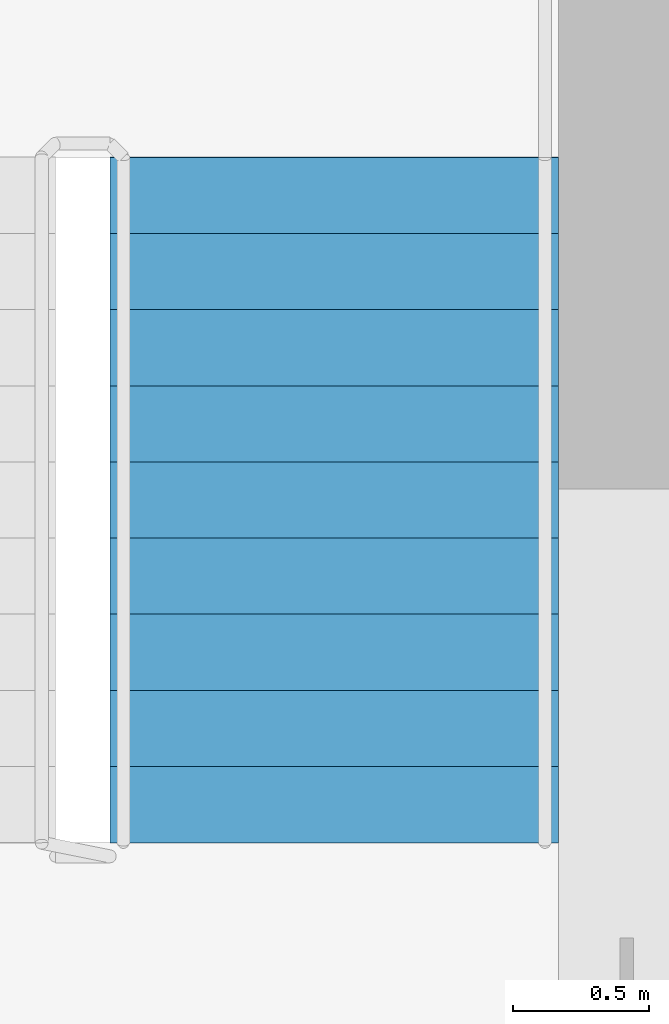
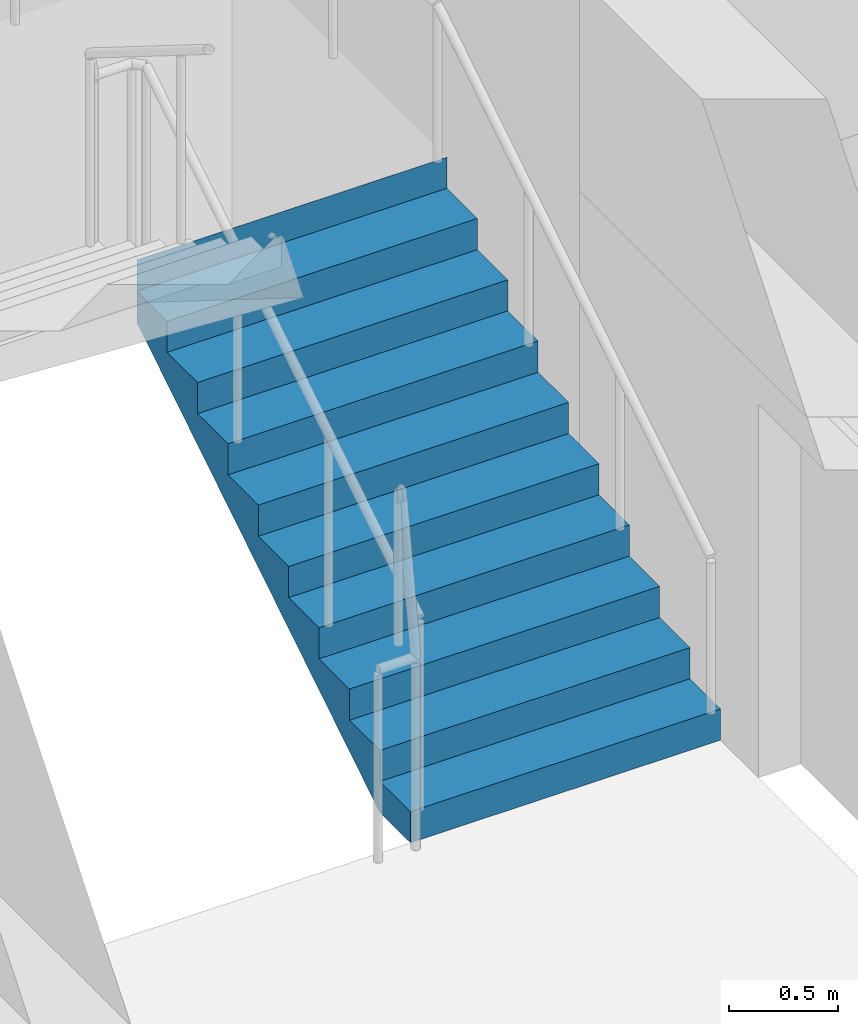
# One storey, part 10 of 11: 1 stair flight, 1 element without a shape of its own.
"""IFC4 building model written with IfcOpenShell, lengths in metres."""

import ifcopenshell
import ifcopenshell.guid

model = None  # the IFC model being written
_history = None  # IfcOwnerHistory: only IFC2X3 demands one
_inside = {}  # id of a spatial element -> (the spatial element, [elements in it])
_under = {}  # id of a project, library or spatial element -> (it, [spatial elements below it])
_declared = {}  # id of a project -> (the project, [libraries it declares])
_typed = {}  # id of a type object -> (the type object, [elements of that type])
_made_of = {}  # id of a material, layer set ... -> (it, [elements and type objects made of it])


def new_model(schema):
    """Start an empty IFC model of exactly this schema.

    Asked for "IFC4X3", IfcOpenShell would pick the latest addendum, in which some entities
    have other attributes; the version numbers below select the first issue.
    IFC2X3 requires an IfcOwnerHistory on every rooted entity: one is made here for all.
    """
    global model, _history
    if schema == "IFC4X3":
        model = ifcopenshell.file(schema_version=(4, 3, 0, 0))
    else:
        model = ifcopenshell.file(schema=schema)
    _inside.clear()
    _under.clear()
    _declared.clear()
    _typed.clear()
    _made_of.clear()
    _history = None
    if model.schema == "IFC2X3":
        org = make("IfcOrganization", Name="unknown")
        user = make(
            "IfcPersonAndOrganization",
            ThePerson=make("IfcPerson", FamilyName="unknown"),
            TheOrganization=org,
        )
        app = make(
            "IfcApplication",
            ApplicationDeveloper=org,
            Version="unknown",
            ApplicationFullName="unknown",
            ApplicationIdentifier="unknown",
        )
        _history = make(
            "IfcOwnerHistory",
            OwningUser=user,
            OwningApplication=app,
            ChangeAction="ADDED",
            CreationDate=0,
        )
    return model


def make(cls, **values):
    """One entity of the class cls with the attributes given. An attribute that is None is left unset."""
    return model.create_entity(
        cls, **{name: value for name, value in values.items() if value is not None}
    )


def rooted(cls, **values):
    """An entity with a GlobalId (a new one), such as an element, a storey or a relation."""
    return make(cls, GlobalId=ifcopenshell.guid.new(), OwnerHistory=_history, **values)


def si_unit(unit_type, name, prefix=None):
    """IfcSIUnit, for example si_unit("LENGTHUNIT", "METRE", prefix="MILLI")."""
    return make("IfcSIUnit", UnitType=unit_type, Prefix=prefix, Name=name)


def assignment(units):
    """IfcUnitAssignment: the units of a project."""
    return None if units is None else make("IfcUnitAssignment", Units=units)


def point(xyz):
    """IfcCartesianPoint."""
    return None if xyz is None else make("IfcCartesianPoint", Coordinates=xyz)


def direction(xyz):
    """IfcDirection."""
    return None if xyz is None else make("IfcDirection", DirectionRatios=xyz)


def frame(location, z_axis=None, x_axis=None):
    """IfcAxis2Placement3D, a coordinate frame: its origin and axes. An axis left out is left unset."""
    return make(
        "IfcAxis2Placement3D",
        Location=point(location),
        Axis=direction(z_axis),
        RefDirection=direction(x_axis),
    )


def origin():
    """The frame at (0, 0, 0) with its axes left unset."""
    return frame((0.0, 0.0, 0.0))


def place(relative_to, where):
    """IfcLocalPlacement: puts the frame where relative to a parent placement (None: the world)."""
    return make(
        "IfcLocalPlacement", PlacementRelTo=relative_to, RelativePlacement=where
    )


def context(
    kind, dimensions, precision=None, world=None, true_north=None, identifier=None
):
    """IfcGeometricRepresentationContext, for example the 3D "Model" context."""
    return make(
        "IfcGeometricRepresentationContext",
        ContextIdentifier=identifier,
        ContextType=kind,
        CoordinateSpaceDimension=dimensions,
        Precision=precision,
        WorldCoordinateSystem=world,
        TrueNorth=true_north,
    )


def subcontext(parent, identifier, kind, view, scale=None):
    """IfcGeometricRepresentationSubContext, for example "Body" below "Model"."""
    return make(
        "IfcGeometricRepresentationSubContext",
        ContextIdentifier=identifier,
        ContextType=kind,
        ParentContext=parent,
        TargetScale=scale,
        TargetView=view,
    )


def project(units=None, contexts=None):
    """IfcProject with its units and contexts."""
    return rooted(
        "IfcProject",
        Name="project",
        RepresentationContexts=contexts,
        UnitsInContext=assignment(units),
    )


def spatial(cls, under=None, at=None, **own):
    """A site, building, storey or space (cls), placed at a placement, below another one or the project."""
    s = rooted(cls, ObjectPlacement=at, **own)
    if under is not None:
        _under.setdefault(under.id(), (under, []))[1].append(s)
    return s


def polyline(points):
    """IfcPolyline through the points."""
    return make("IfcPolyline", Points=[point(p) for p in points])


def outline(outer, holes=None, kind="AREA"):
    """IfcArbitraryClosedProfileDef: a profile drawn as a closed curve; with holes, ...WithVoids."""
    if holes is None:
        return make("IfcArbitraryClosedProfileDef", ProfileType=kind, OuterCurve=outer)
    return make(
        "IfcArbitraryProfileDefWithVoids",
        ProfileType=kind,
        OuterCurve=outer,
        InnerCurves=holes,
    )


def extrude(swept, where, along, depth):
    """IfcExtrudedAreaSolid: the profile swept, set in the frame where, extruded along a direction by depth."""
    return make(
        "IfcExtrudedAreaSolid",
        SweptArea=swept,
        Position=where,
        ExtrudedDirection=direction(along),
        Depth=depth,
    )


def shape(context_of_items, identifier, shape_type, items):
    """IfcShapeRepresentation: the items that make up one representation, for example the "Body"."""
    return make(
        "IfcShapeRepresentation",
        ContextOfItems=context_of_items,
        RepresentationIdentifier=identifier,
        RepresentationType=shape_type,
        Items=items,
    )


def material(Name=None, Category=None):
    """IfcMaterial."""
    return make("IfcMaterial", Name=Name, Category=Category)


def made_of(thing, what):
    """Note that an element or type object is made of a material, layer set ...; save() writes the relation."""
    if what is not None:
        _made_of.setdefault(what.id(), (what, []))[1].append(thing)
    return thing


def type_object(cls, material=None, **own):
    """A type object (cls), such as IfcWallType, which elements share."""
    return made_of(rooted(cls, **own), material)


def element(
    cls,
    number,
    at=None,
    inside=None,
    cuts=None,
    type_object=None,
    material=None,
    context=None,
    identifier="Body",
    shape_type=None,
    held_by="IfcProductDefinitionShape",
    body=None,
    shapes=None,
    **own,
):
    """One element of the class cls, such as IfcWall. Its Tag is "e" and its number.

    at: its placement. inside: the storey or other place that contains it. cuts: it is an
    opening in that element (IfcRelVoidsElement). A single representation is given by context,
    identifier, shape_type and body (its items); several are given by shapes. held_by: the class
    of the entity that holds the representations. save() writes the other relations.
    """
    e = rooted(cls, Tag="e%d" % number, ObjectPlacement=at, **own)
    if body is not None:
        shapes = [shape(context, identifier, shape_type, body)]
    if shapes is not None:
        e.Representation = make(held_by, Representations=shapes)
    if inside is not None:
        _inside.setdefault(inside.id(), (inside, []))[1].append(e)
    if cuts is not None:
        rooted(
            "IfcRelVoidsElement", RelatingBuildingElement=cuts, RelatedOpeningElement=e
        )
    if type_object is not None:
        _typed.setdefault(type_object.id(), (type_object, []))[1].append(e)
    return made_of(e, material)


def aggregate(whole, parts):
    """IfcRelAggregates: a whole, such as a stair, and the parts it consists of."""
    return rooted("IfcRelAggregates", RelatingObject=whole, RelatedObjects=parts)


def save(model, path):
    """Write the relations noted so far, then the file.

    IfcRelAggregates (storeys below a building ...), IfcRelContainedInSpatialStructure (elements
    in a storey), IfcRelDefinesByType, IfcRelAssociatesMaterial and IfcRelDeclares: one each for
    every whole, place, type object, material and project.
    """
    for whole, parts in _under.values():
        aggregate(whole, parts)
    for where, things in _inside.values():
        rooted(
            "IfcRelContainedInSpatialStructure",
            RelatedElements=things,
            RelatingStructure=where,
        )
    for kind, things in _typed.values():
        rooted("IfcRelDefinesByType", RelatedObjects=things, RelatingType=kind)
    for what, things in _made_of.values():
        rooted("IfcRelAssociatesMaterial", RelatedObjects=things, RelatingMaterial=what)
    for by, libraries in _declared.values():
        rooted("IfcRelDeclares", RelatingContext=by, RelatedDefinitions=libraries)
    model.write(path)


model = new_model("IFC4")

# Units and contexts
model_context = context("Model", 3, precision=1e-05, world=origin(), true_north=direction((0.0, 1.0)))
body_context = subcontext(model_context, "Body", "Model", "MODEL_VIEW")
ifc_project = project(units=[si_unit("LENGTHUNIT", "METRE"), si_unit("AREAUNIT", "SQUARE_METRE"), si_unit("VOLUMEUNIT", "CUBIC_METRE"), si_unit("PLANEANGLEUNIT", "RADIAN"), si_unit("MASSUNIT", "GRAM", prefix="KILO")], contexts=[model_context])

# Site, building, storey
site_placement = place(None, origin())
site = spatial("IfcSite", under=ifc_project, at=site_placement, CompositionType="ELEMENT")
building_placement = place(site_placement, origin())
building = spatial("IfcBuilding", under=site, at=building_placement, Name="Tamorin Gate", CompositionType="ELEMENT")
storey_placement = place(building_placement, frame((0.0, 0.0, 254.699951171875)))
storey = spatial("IfcBuildingStorey", under=building, at=storey_placement, Name="L64", CompositionType="ELEMENT", Elevation=254.699951171875)

# Stair, stair flight
ifc_material = material(Name="Concrete C40/50", Category="concrete")
stair_type = type_object("IfcStairType", Name="Exit stair", PredefinedType="HALF_TURN_STAIR", material=ifc_material)
stair_placement = place(storey_placement, origin())
stair = element("IfcStair", 1, at=stair_placement, inside=storey, type_object=stair_type, Name="L64 stair ST2", PredefinedType="HALF_TURN_STAIR")
stair_flight_type = type_object("IfcStairFlightType", Name="Exit stair flight", PredefinedType="STRAIGHT", material=ifc_material)
stair_flight_placement = place(storey_placement, frame((33.675048828125, 77.0, 0.0), z_axis=(0.0, 0.0, 1.0), x_axis=(0.0, 1.0, 0.0)))
stair_flight = element("IfcStairFlight", 2, at=stair_flight_placement, type_object=stair_flight_type, Name="ST2 flight 1", NumberOfRisers=10, NumberOfTreads=9, PredefinedType="STRAIGHT", RiserHeight=0.175, TreadLength=0.28, context=body_context, shape_type="SweptSolid", body=[
    extrude(outline(polyline([(-0.00048828125, 0.0), (-0.00048828125, 0.001708984375), (-0.00048828125, 0.00341796875), (-0.00048828125, 0.005126953125), (-0.00048828125, 0.0068359375), (-0.00048828125, 0.008544921875), (-0.00048828125, 0.010498046875), (-0.00048828125, 0.01220703125), (-0.00048828125, 0.013916015625), (-0.00048828125, 0.015625), (-0.00048828125, 0.017333984375), (-0.00048828125, 0.01904296875), (-0.00048828125, 0.020751953125), (-0.00048828125, 0.0224609375), (-0.00048828125, 0.024169921875), (-0.00048828125, 0.02587890625), (-0.00048828125, 0.02783203125), (-0.00048828125, 0.029541015625), (-0.00048828125, 0.03125), (-0.00048828125, 0.032958984375), (-0.00048828125, 0.03466796875), (-0.00048828125, 0.036376953125), (-0.00048828125, 0.0380859375), (-0.00048828125, 0.039794921875), (-0.00048828125, 0.04150390625), (-0.00048828125, 0.043212890625), (-0.00048828125, 0.045166015625), (-0.00048828125, 0.046875), (-0.00048828125, 0.048583984375), (-0.00048828125, 0.05029296875), (-0.00048828125, 0.052001953125), (-0.00048828125, 0.0537109375), (-0.00048828125, 0.055419921875), (-0.00048828125, 0.05712890625), (-0.00048828125, 0.058837890625), (-0.00048828125, 0.060546875), (-0.00048828125, 0.062255859375), (-0.00048828125, 0.064208984375), (-0.00048828125, 0.06591796875), (-0.00048828125, 0.067626953125), (-0.00048828125, 0.0693359375), (-0.00048828125, 0.071044921875), (-0.00048828125, 0.07275390625), (-0.00048828125, 0.074462890625), (-0.00048828125, 0.076171875), (-0.00048828125, 0.077880859375), (-0.00048828125, 0.07958984375), (-0.00048828125, 0.08154296875), (-0.00048828125, 0.083251953125), (-0.00048828125, 0.0849609375), (-0.00048828125, 0.086669921875), (-0.00048828125, 0.08837890625), (-0.00048828125, 0.090087890625), (-0.00048828125, 0.091796875), (-0.00048828125, 0.093505859375), (-0.00048828125, 0.09521484375), (-0.00048828125, 0.096923828125), (-0.00048828125, 0.098876953125), (-0.00048828125, 0.1005859375), (-0.00048828125, 0.102294921875), (-0.00048828125, 0.10400390625), (-0.00048828125, 0.105712890625), (-0.00048828125, 0.107421875), (-0.00048828125, 0.109130859375), (-0.00048828125, 0.11083984375), (-0.00048828125, 0.112548828125), (-0.00048828125, 0.1142578125), (-0.00048828125, 0.1162109375), (-0.00048828125, 0.117919921875), (-0.00048828125, 0.11962890625), (-0.00048828125, 0.121337890625), (-0.00048828125, 0.123046875), (-0.00048828125, 0.124755859375), (-0.00048828125, 0.12646484375), (-0.00048828125, 0.128173828125), (-0.00048828125, 0.1298828125), (-0.00048828125, 0.131591796875), (-0.00048828125, 0.13330078125), (-0.00048828125, 0.13525390625), (-0.00048828125, 0.136962890625), (-0.00048828125, 0.138671875), (-0.00048828125, 0.140380859375), (-0.00048828125, 0.14208984375), (-0.00048828125, 0.143798828125), (-0.00048828125, 0.1455078125), (-0.00048828125, 0.147216796875), (-0.00048828125, 0.14892578125), (-0.00048828125, 0.150634765625), (-0.00048828125, 0.152587890625), (-0.00048828125, 0.154296875), (-0.00048828125, 0.156005859375), (-0.00048828125, 0.15771484375), (-0.00048828125, 0.159423828125), (-0.00048828125, 0.1611328125), (-0.00048828125, 0.162841796875), (-0.00048828125, 0.16455078125), (-0.00048828125, 0.166259765625), (-0.00048828125, 0.16796875), (-0.00048828125, 0.169921875), (-0.00048828125, 0.171630859375), (-0.00048828125, 0.17333984375), (-0.00048828125, 0.175048828125), (0.280029296875, 0.175048828125), (0.280029296875, 0.35009765625), (0.56005859375, 0.35009765625), (0.56005859375, 0.52490234375), (0.840087890625, 0.52490234375), (0.840087890625, 0.699951171875), (1.1201171875, 0.699951171875), (1.1201171875, 0.875), (1.39990234375, 0.875), (1.39990234375, 1.050048828125), (1.679931640625, 1.050048828125), (1.679931640625, 1.22509765625), (1.9599609375, 1.22509765625), (1.9599609375, 1.39990234375), (2.239990234375, 1.39990234375), (2.239990234375, 1.574951171875), (2.52001953125, 1.574951171875), (2.52001953125, 1.75), (2.5205078125, 1.75), (2.5205078125, 1.74658203125), (2.5205078125, 1.742919921875), (2.5205078125, 1.739501953125), (2.5205078125, 1.736083984375), (2.5205078125, 1.732666015625), (2.5205078125, 1.72900390625), (2.5205078125, 1.7255859375), (2.5205078125, 1.72216796875), (2.5205078125, 1.71875), (2.5205078125, 1.715087890625), (2.5205078125, 1.711669921875), (2.5205078125, 1.708251953125), (2.5205078125, 1.704833984375), (2.5205078125, 1.701171875), (2.5205078125, 1.69775390625), (2.5205078125, 1.6943359375), (2.5205078125, 1.690673828125), (2.5205078125, 1.687255859375), (2.5205078125, 1.683837890625), (2.5205078125, 1.680419921875), (2.5205078125, 1.6767578125), (2.5205078125, 1.67333984375), (2.5205078125, 1.669921875), (2.5205078125, 1.66650390625), (2.5205078125, 1.662841796875), (2.5205078125, 1.659423828125), (2.5205078125, 1.656005859375), (2.5205078125, 1.652587890625), (2.5205078125, 1.64892578125), (2.5205078125, 1.6455078125), (2.5205078125, 1.64208984375), (2.5205078125, 1.638427734375), (2.5205078125, 1.635009765625), (2.5205078125, 1.631591796875), (2.5205078125, 1.628173828125), (2.5205078125, 1.62451171875), (2.5205078125, 1.62109375), (2.5205078125, 1.61767578125), (2.5205078125, 1.6142578125), (2.5205078125, 1.610595703125), (2.5205078125, 1.607177734375), (2.5205078125, 1.603759765625), (2.5205078125, 1.600341796875), (2.5205078125, 1.5966796875), (2.5205078125, 1.59326171875), (2.5205078125, 1.58984375), (2.5205078125, 1.58642578125), (2.5205078125, 1.582763671875), (2.5205078125, 1.579345703125), (2.5205078125, 1.575927734375), (2.5205078125, 1.572265625), (2.5205078125, 1.56884765625), (2.5205078125, 1.5654296875), (2.5205078125, 1.56201171875), (2.5205078125, 1.558349609375), (2.5205078125, 1.554931640625), (2.5205078125, 1.551513671875), (2.5205078125, 1.548095703125), (2.5205078125, 1.54443359375), (2.5205078125, 1.541015625), (2.5205078125, 1.53759765625), (2.5205078125, 1.5341796875), (2.5205078125, 1.530517578125), (2.5205078125, 1.527099609375), (2.5205078125, 1.523681640625), (2.5205078125, 1.52001953125), (2.5205078125, 1.5166015625), (2.5205078125, 1.51318359375), (2.5205078125, 1.509765625), (2.5205078125, 1.506103515625), (2.5205078125, 1.502685546875), (2.5205078125, 1.499267578125), (2.5205078125, 1.495849609375), (2.5205078125, 1.4921875), (2.5205078125, 1.48876953125), (2.5205078125, 1.4853515625), (2.5205078125, 1.48193359375), (2.5205078125, 1.478271484375), (2.5205078125, 1.474853515625), (2.5205078125, 1.471435546875), (2.5205078125, 1.4677734375), (2.5205078125, 1.46435546875), (2.5205078125, 1.4609375), (2.5205078125, 1.45751953125), (2.5205078125, 1.453857421875), (2.5205078125, 1.450439453125), (2.5205078125, 1.447021484375), (2.5205078125, 1.443603515625), (2.5205078125, 1.43994140625), (2.5205078125, 1.4365234375), (2.5205078125, 1.43310546875), (2.5205078125, 1.4296875), (2.5205078125, 1.426025390625), (2.5205078125, 1.422607421875), (2.5205078125, 1.419189453125), (2.5205078125, 1.41552734375), (2.5205078125, 1.412109375), (2.5205078125, 1.40869140625), (2.5205078125, 1.4052734375), (2.5205078125, 1.401611328125), (2.5205078125, 1.398193359375), (2.52001953125, 1.398193359375), (0.28271484375, 0.0), (-0.00048828125, 0.0)])), frame((0.0, 0.824951171875, 0.0), z_axis=(0.0, -1.0, 0.0), x_axis=(1.0, 0.0, 0.0)), (0.0, 0.0, 1.0), 1.64990234375),
])
aggregate(stair, [stair_flight])

save(model, "model.ifc")
